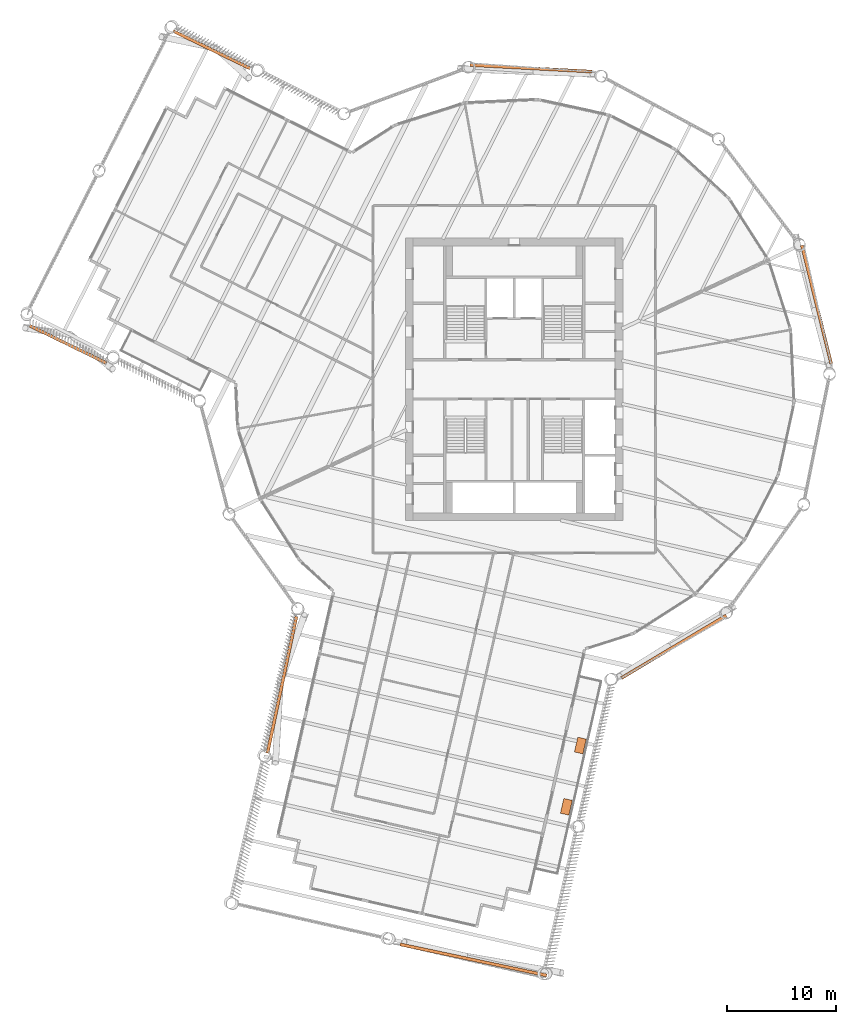
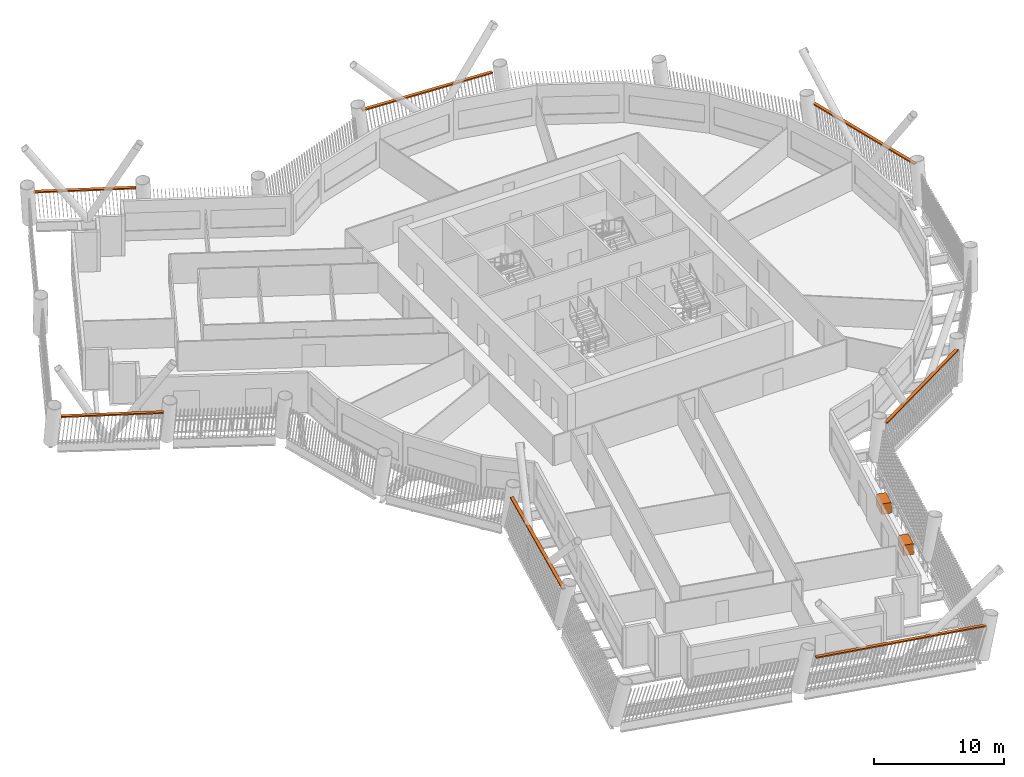
# One storey, part 21 of 21: 9 proxies.
"""IFC4 building model written with IfcOpenShell, lengths in metres."""

from ifc_helpers import new_model, si_unit, direction, frame, origin, origin_2d, place, context, subcontext, project, spatial, rectangle, extrude, material, type_object, element, save


model = new_model("IFC4")

# Units and contexts
model_context = context("Model", 3, precision=1e-05, world=origin(), true_north=direction((0.0, 1.0)))
body_context = subcontext(model_context, "Body", "Model", "MODEL_VIEW")
ifc_project = project(units=[si_unit("LENGTHUNIT", "METRE"), si_unit("AREAUNIT", "SQUARE_METRE"), si_unit("VOLUMEUNIT", "CUBIC_METRE"), si_unit("PLANEANGLEUNIT", "RADIAN"), si_unit("MASSUNIT", "GRAM", prefix="KILO")], contexts=[model_context])

# Site, building, storey
site_placement = place(None, origin())
site = spatial("IfcSite", under=ifc_project, at=site_placement, CompositionType="ELEMENT")
building_placement = place(site_placement, origin())
building = spatial("IfcBuilding", under=site, at=building_placement, Name="Tarsis Ring Headquarters", CompositionType="ELEMENT")
storey_placement = place(building_placement, frame((0.0, 0.0, 171.0)))
storey = spatial("IfcBuildingStorey", under=building, at=storey_placement, Name="L39", CompositionType="ELEMENT", Elevation=171.0)

# Proxies
ifc_material_1 = material(Name="Structural steel S355", Category="steel")
building_element_proxy_type_1 = type_object("IfcBuildingElementProxyType", Name="Screen bracket plate", PredefinedType="USERDEFINED", material=ifc_material_1)
proxy_1_placement = place(storey_placement, frame((-21.387451171875, -28.125, 2.949951171875), z_axis=(0.0, 0.0, 1.0), x_axis=(-0.207228730209, -0.978292519329, 0.0)))
element("IfcBuildingElementProxy", 1, at=proxy_1_placement, inside=storey, type_object=building_element_proxy_type_1, Name="Screen bracket L39-01", ObjectType="Bracket", PredefinedType="USERDEFINED", context=body_context, shape_type="SweptSolid", body=[
    extrude(rectangle(XDim=12.90234375, YDim=0.280029296875, at=origin_2d()), origin(), (0.0, 0.0, 1.0), 0.1201171875),
])
proxy_2_placement = place(storey_placement, frame((-3.763427734375, -53.475830078125, 2.949951171875), z_axis=(0.0, 0.0, 1.0), x_axis=(0.978292508479, -0.207228781433, 0.0)))
element("IfcBuildingElementProxy", 2, at=proxy_2_placement, inside=storey, type_object=building_element_proxy_type_1, Name="Screen bracket L39-04", ObjectType="Bracket", PredefinedType="USERDEFINED", context=body_context, shape_type="SweptSolid", body=[
    extrude(rectangle(XDim=13.800048828125, YDim=0.280029296875, at=origin_2d()), origin(), (0.0, 0.0, 1.0), 0.1201171875),
])
for number, where, z_axis, x_axis, name in (
    (3, (14.70849609375, -24.633544921875, 2.949951171875), (0.0, 0.0, 1.0), (0.858590788368, 0.512661543448, 0.0), "Screen bracket L39-07"),
    (4, (27.854248046875, 6.877197265625, 2.949951171875), (0.0, 0.0, 1.0), (-0.239698613896, 0.97084734871, 0.0), "Screen bracket L39-10"),
    (5, (1.553466796875, 28.6484375, 2.949951171875), (0.0, 0.0, 1.0), (-0.998533107948, 0.05414455035, 0.0), "Screen bracket L39-13"),
):
    element("IfcBuildingElementProxy", number, at=place(storey_placement, frame(where, z_axis=z_axis, x_axis=x_axis)), inside=storey, type_object=building_element_proxy_type_1, Name=name, ObjectType="Bracket", PredefinedType="USERDEFINED", context=body_context, shape_type="SweptSolid", body=[
        extrude(rectangle(XDim=11.248779296875, YDim=0.280029296875, at=origin_2d()), origin(), (0.0, 0.0, 1.0), 0.1201171875),
    ])
for number, where, z_axis, x_axis, name in (
    (6, (-27.871826171875, 30.35888671875, 2.949951171875), (0.0, 0.0, 1.0), (-0.899099860398, 0.437743579088, 0.0), "Screen bracket L39-16"),
    (7, (-41.087158203125, 3.215087890625, 2.949951171875), (0.0, 0.0, 1.0), (0.899099883318, -0.437743532011, 0.0), "Screen bracket L39-19"),
):
    element("IfcBuildingElementProxy", number, at=place(storey_placement, frame(where, z_axis=z_axis, x_axis=x_axis)), inside=storey, type_object=building_element_proxy_type_1, Name=name, ObjectType="Bracket", PredefinedType="USERDEFINED", context=body_context, shape_type="SweptSolid", body=[
        extrude(rectangle(XDim=7.90234375, YDim=0.280029296875, at=origin_2d()), origin(), (0.0, 0.0, 1.0), 0.1201171875),
    ])
ifc_material_2 = material(Name="Planter soil mix and tree")
building_element_proxy_type_2 = type_object("IfcBuildingElementProxyType", Name="Tree planter", PredefinedType="USERDEFINED", material=ifc_material_2)
for number, where, z_axis, x_axis, name in (
    (8, (4.806640625, -39.375732421875, 0.0), (0.0, 0.0, 1.0), (0.222569566987, 0.974916810734, 0.0), "Tree planter L39-16.2"),
    (9, (6.094970703125, -33.733154296875, 0.0), (0.0, 0.0, 1.0), (0.222569566987, 0.974916810734, 0.0), "Tree planter L39-16.3"),
):
    element("IfcBuildingElementProxy", number, at=place(storey_placement, frame(where, z_axis=z_axis, x_axis=x_axis)), inside=storey, type_object=building_element_proxy_type_2, Name=name, ObjectType="Planter", PredefinedType="USERDEFINED", context=body_context, shape_type="SweptSolid", body=[
        extrude(rectangle(XDim=1.39990234375, YDim=0.800048828125, at=origin_2d()), origin(), (0.0, 0.0, 1.0), 1.0),
    ])

save(model, "model.ifc")
